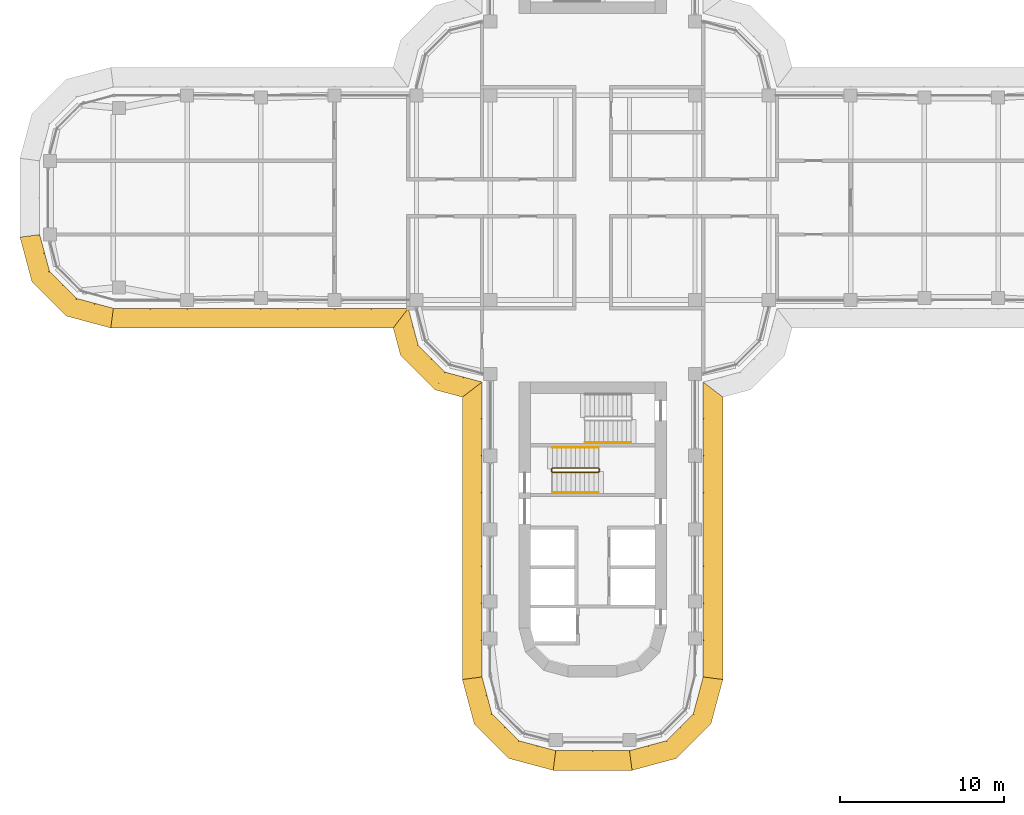
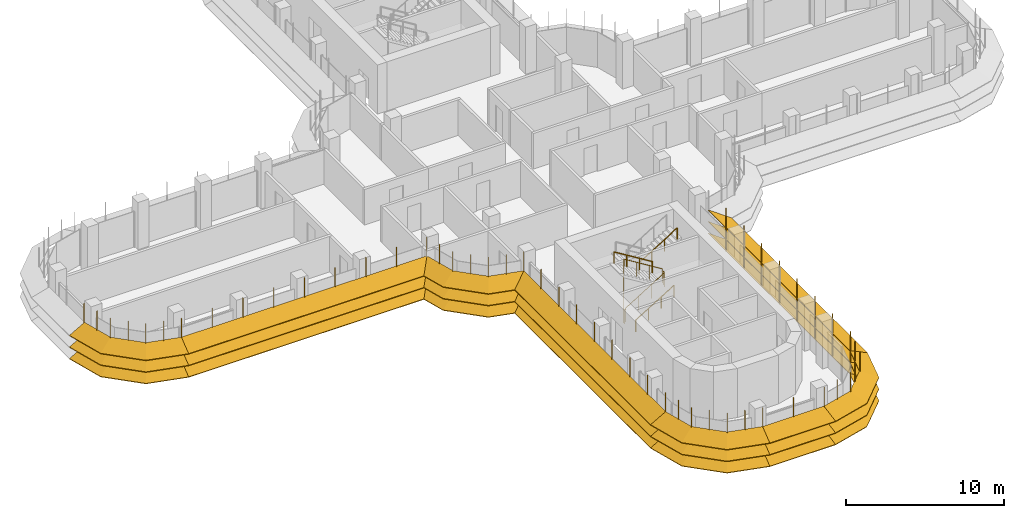
# One storey, part 17 of 20: 8 shading devices, 4 railings.
"""IFC4 building model written with IfcOpenShell, lengths in metres."""

from ifc_helpers import new_model, si_unit, direction, frame, origin, origin_2d, place, context, subcontext, project, spatial, polyline, circle, outline, extrude, faceted_brep, source, transform, mapped, material, type_object, element, save


model = new_model("IFC4")

# Units and contexts
model_context = context("Model", 3, precision=1e-05, world=origin(), true_north=direction((0.0, 1.0)))
body_context = subcontext(model_context, "Body", "Model", "MODEL_VIEW")
ifc_project = project(units=[si_unit("LENGTHUNIT", "METRE"), si_unit("AREAUNIT", "SQUARE_METRE"), si_unit("VOLUMEUNIT", "CUBIC_METRE"), si_unit("PLANEANGLEUNIT", "RADIAN"), si_unit("MASSUNIT", "GRAM", prefix="KILO")], contexts=[model_context])

# Site, building, storey
site_placement = place(None, origin())
site = spatial("IfcSite", under=ifc_project, at=site_placement, CompositionType="ELEMENT")
building_placement = place(site_placement, origin())
building = spatial("IfcBuilding", under=site, at=building_placement, Name="Zarbagh Exchange Tower", CompositionType="ELEMENT")
storey_placement = place(building_placement, frame((0.0, 0.0, 141.0)))
storey = spatial("IfcBuildingStorey", under=building, at=storey_placement, Name="L33", CompositionType="ELEMENT", Elevation=141.0)

# Railings
ifc_material_1 = material(Name="Stainless steel", Category="steel")
railing_type_1 = type_object("IfcRailingType", Name="Stair guard 1100 mm", PredefinedType="GUARDRAIL", material=ifc_material_1)
railing_1_placement = place(storey_placement, frame((0.35009765625, -16.5, 2.07275390625)))
element("IfcRailing", 1, at=railing_1_placement, inside=storey, type_object=railing_type_1, Name="ST3 stair guard 1", PredefinedType="GUARDRAIL", context=body_context, shape_type="SweptSolid", body=[
    extrude(circle(Radius=0.02392578125, at=origin_2d()), frame((0.0, 0.0, 1.076171875), z_axis=(-0.851089632645, 0.0, 0.525020415988), x_axis=(0.0, -1.0, 0.0)), (0.0, 0.0, 1.0), 3.2900390625),
    extrude(circle(Radius=0.02392578125, at=origin_2d()), frame((-2.800048828125, 0.0, 2.80322265625), z_axis=(-0.013168290981, -0.013168290981, -0.999826581076), x_axis=(0.707106781187, -0.707106781187, 0.0)), (0.0, 0.0, 1.0), 3.80078125),
    extrude(circle(Radius=0.02392578125, at=origin_2d()), frame((-2.85009765625, -0.050048828125, -0.99658203125), z_axis=(0.0, -1.0, 0.0), x_axis=(1.0, 0.0, 0.0)), (0.0, 0.0, 1.0), 0.14990234375),
    extrude(circle(Radius=0.02392578125, at=origin_2d()), frame((-2.85009765625, -0.199951171875, -0.99658203125), z_axis=(0.268277960024, -0.268277960024, 0.925231793839), x_axis=(0.707106781187, 0.707106781187, 0.0)), (0.0, 0.0, 1.0), 0.1865234375),
    extrude(circle(Radius=0.02392578125, at=origin_2d()), frame((-2.800048828125, -0.25, -0.82421875), z_axis=(0.851089632645, 0.0, 0.525020415988), x_axis=(0.0, 1.0, 0.0)), (0.0, 0.0, 1.0), 3.2900390625),
    extrude(circle(Radius=0.02392578125, at=origin_2d()), frame((0.0, -0.25, 0.9033203125), z_axis=(0.705375805398, 0.708833529934, 0.0), x_axis=(-0.708833529934, 0.705375805398, 0.0)), (0.0, 0.0, 1.0), 0.070556640625),
    extrude(circle(Radius=0.02392578125, at=origin_2d()), frame((0.0498046875, -0.199951171875, 0.9033203125), z_axis=(0.0, 1.0, 0.0), x_axis=(-1.0, 0.0, 0.0)), (0.0, 0.0, 1.0), 0.14990234375),
    extrude(circle(Radius=0.02099609375, at=origin_2d()), origin(), (0.0, 0.0, 1.0), 1.052001953125),
    extrude(circle(Radius=0.02099609375, at=origin_2d()), frame((-0.933349609375, 0.0, 0.57568359375)), (0.0, 0.0, 1.0), 1.052001953125),
    extrude(circle(Radius=0.02099609375, at=origin_2d()), frame((-1.86669921875, 0.0, 1.151611328125)), (0.0, 0.0, 1.0), 1.052001953125),
    extrude(circle(Radius=0.02099609375, at=origin_2d()), frame((-2.800048828125, 0.0, 1.727294921875)), (0.0, 0.0, 1.0), 1.052001953125),
    extrude(circle(Radius=0.02099609375, at=origin_2d()), frame((-2.8125, -0.012451171875, 0.77734375)), (0.0, 0.0, 1.0), 1.052001953125),
    extrude(circle(Radius=0.02099609375, at=origin_2d()), frame((-2.8251953125, -0.02490234375, -0.1728515625)), (0.0, 0.0, 1.0), 1.052001953125),
    extrude(circle(Radius=0.02099609375, at=origin_2d()), frame((-2.837646484375, -0.03759765625, -1.122802734375)), (0.0, 0.0, 1.0), 1.052001953125),
    extrude(circle(Radius=0.02099609375, at=origin_2d()), frame((-2.85009765625, -0.050048828125, -2.07275390625)), (0.0, 0.0, 1.0), 1.052001953125),
    extrude(circle(Radius=0.02099609375, at=origin_2d()), frame((-2.85009765625, -0.199951171875, -2.07275390625)), (0.0, 0.0, 1.0), 1.052001953125),
    extrude(circle(Radius=0.02099609375, at=origin_2d()), frame((-2.800048828125, -0.25, -1.900146484375)), (0.0, 0.0, 1.0), 1.052001953125),
    extrude(circle(Radius=0.02099609375, at=origin_2d()), frame((-1.86669921875, -0.25, -1.324462890625)), (0.0, 0.0, 1.0), 1.052001953125),
    extrude(circle(Radius=0.02099609375, at=origin_2d()), frame((-0.933349609375, -0.25, -0.74853515625)), (0.0, 0.0, 1.0), 1.052001953125),
    extrude(circle(Radius=0.02099609375, at=origin_2d()), frame((0.0, -0.25, -0.1728515625)), (0.0, 0.0, 1.0), 1.052001953125),
    extrude(circle(Radius=0.02099609375, at=origin_2d()), frame((0.0498046875, -0.199951171875, -0.1728515625)), (0.0, 0.0, 1.0), 1.052001953125),
    extrude(circle(Radius=0.02099609375, at=origin_2d()), frame((0.0498046875, -0.050048828125, -0.1728515625)), (0.0, 0.0, 1.0), 1.052001953125),
])
railing_type_2 = type_object("IfcRailingType", Name="Stair handrail 900 mm", PredefinedType="HANDRAIL", material=ifc_material_1)
railing_2_placement = place(storey_placement, frame((-2.449951171875, -18.0, 0.172607421875)))
element("IfcRailing", 2, at=railing_2_placement, inside=storey, type_object=railing_type_2, Name="ST3 stair handrail 1", PredefinedType="HANDRAIL", context=body_context, shape_type="SweptSolid", body=[
    extrude(circle(Radius=0.02392578125, at=origin_2d()), frame((0.0, 0.0, 0.8759765625), z_axis=(0.851089632645, 0.0, 0.525020415988), x_axis=(0.0, 1.0, 0.0)), (0.0, 0.0, 1.0), 3.2900390625),
    extrude(circle(Radius=0.02099609375, at=origin_2d()), origin(), (0.0, 0.0, 1.0), 0.851806640625),
    extrude(circle(Radius=0.02099609375, at=origin_2d()), frame((0.933349609375, 0.0, 0.57568359375)), (0.0, 0.0, 1.0), 0.851806640625),
    extrude(circle(Radius=0.02099609375, at=origin_2d()), frame((1.86669921875, 0.0, 1.151611328125)), (0.0, 0.0, 1.0), 0.851806640625),
    extrude(circle(Radius=0.02099609375, at=origin_2d()), frame((2.800048828125, 0.0, 1.727294921875)), (0.0, 0.0, 1.0), 0.851806640625),
])
railing_3_placement = place(storey_placement, frame((0.35009765625, -15.25, 2.07275390625)))
element("IfcRailing", 3, at=railing_3_placement, inside=storey, type_object=railing_type_2, Name="ST3 stair handrail 2", PredefinedType="HANDRAIL", context=body_context, shape_type="SweptSolid", body=[
    extrude(circle(Radius=0.02392578125, at=origin_2d()), frame((0.0, 0.0, 0.8759765625), z_axis=(-0.851089632645, 0.0, 0.525020415988), x_axis=(0.0, -1.0, 0.0)), (0.0, 0.0, 1.0), 3.2900390625),
    extrude(circle(Radius=0.02099609375, at=origin_2d()), origin(), (0.0, 0.0, 1.0), 0.851806640625),
    extrude(circle(Radius=0.02099609375, at=origin_2d()), frame((-0.933349609375, 0.0, 0.57568359375)), (0.0, 0.0, 1.0), 0.851806640625),
    extrude(circle(Radius=0.02099609375, at=origin_2d()), frame((-1.86669921875, 0.0, 1.151611328125)), (0.0, 0.0, 1.0), 0.851806640625),
    extrude(circle(Radius=0.02099609375, at=origin_2d()), frame((-2.800048828125, 0.0, 1.727294921875)), (0.0, 0.0, 1.0), 0.851806640625),
])
railing_4_placement = place(storey_placement, frame((-0.449951171875, -14.949951171875, 2.07275390625)))
element("IfcRailing", 4, at=railing_4_placement, inside=storey, type_object=railing_type_2, Name="ST4 stair handrail 2", PredefinedType="HANDRAIL", context=body_context, shape_type="SweptSolid", body=[
    extrude(circle(Radius=0.02392578125, at=origin_2d()), frame((0.0, 0.0, 0.8759765625), z_axis=(0.851089632645, 0.0, 0.525020415988), x_axis=(0.0, 1.0, 0.0)), (0.0, 0.0, 1.0), 3.2900390625),
    extrude(circle(Radius=0.02099609375, at=origin_2d()), origin(), (0.0, 0.0, 1.0), 0.851806640625),
    extrude(circle(Radius=0.02099609375, at=origin_2d()), frame((0.933349609375, 0.0, 0.57568359375)), (0.0, 0.0, 1.0), 0.851806640625),
    extrude(circle(Radius=0.02099609375, at=origin_2d()), frame((1.86669921875, 0.0, 1.151611328125)), (0.0, 0.0, 1.0), 0.851806640625),
    extrude(circle(Radius=0.02099609375, at=origin_2d()), frame((2.800048828125, 0.0, 1.727294921875)), (0.0, 0.0, 1.0), 0.851806640625),
])

# Shading devices
ifc_material_2 = material(Name="Anodised aluminium blades and brackets", Category="aluminium")
shading_device_type = type_object("IfcShadingDeviceType", Name="SUNSHADE louvre band, 22.5 degree blades", PredefinedType="JALOUSIE", material=ifc_material_2)
shared_shape_1 = source(origin(), body_context, "Body", "Brep", [
    faceted_brep([(0.0, 0.0, 0.0), (0.0, 0.0, -0.043212890625), (-0.157958984375, -1.199951171875, -0.540283203125), (-0.157958984375, -1.199951171875, -0.4970703125), (2.65087890625, -1.199951171875, -0.4970703125), (2.65087890625, -1.199951171875, -0.540283203125), (2.329345703125, 0.0, -0.043212890625), (2.329345703125, 0.0, 0.0)], [[[0, 1, 2, 3]], [[4, 5, 6, 7]], [[0, 7, 6, 1]], [[1, 6, 5, 2]], [[2, 5, 4, 3]], [[3, 4, 7, 0]]]),
])
shared_shape_2 = source(origin(), body_context, "Body", "Brep", [
    faceted_brep([(0.0, 0.0, 0.0), (0.0, 0.0, -0.043212890625), (-0.321533203125, -1.199951171875, -0.540283203125), (-0.321533203125, -1.199951171875, -0.4970703125), (2.65087890625, -1.199951171875, -0.4970703125), (2.65087890625, -1.199951171875, -0.540283203125), (2.329345703125, 0.0, -0.043212890625), (2.329345703125, 0.0, 0.0)], [[[0, 1, 2, 3]], [[4, 5, 6, 7]], [[0, 7, 6, 1]], [[1, 6, 5, 2]], [[2, 5, 4, 3]], [[3, 4, 7, 0]]]),
])
shared_shape_3 = source(origin(), body_context, "Body", "Brep", [
    faceted_brep([(0.0, 0.0, 0.0), (0.0, 0.0, -0.043212890625), (-0.321533203125, -1.199951171875, -0.540283203125), (-0.321533203125, -1.199951171875, -0.4970703125), (2.4873046875, -1.199951171875, -0.4970703125), (2.4873046875, -1.199951171875, -0.540283203125), (2.329345703125, 0.0, -0.043212890625), (2.329345703125, 0.0, 0.0)], [[[0, 1, 2, 3]], [[4, 5, 6, 7]], [[0, 7, 6, 1]], [[1, 6, 5, 2]], [[2, 5, 4, 3]], [[3, 4, 7, 0]]]),
])
shared_shape_4 = source(origin(), body_context, "Body", "SweptSolid", [
    extrude(outline(polyline([(0.0, -0.012451171875), (0.06005859375, -0.012451171875), (0.06005859375, 0.012451171875), (0.0, 0.012451171875), (0.0, -0.012451171875)])), origin(), (0.0, 0.0, 1.0), 3.353271484375),
])
placement = place(storey_placement, origin())
element("IfcShadingDevice", 5, at=placement, inside=storey, type_object=shading_device_type, Name="SS01 sunshade band", PredefinedType="JALOUSIE", context=body_context, shape_type="MappedRepresentation", body=[
    mapped(shared_shape_1, transform((2.25, -33.75, 2.300048828125), x_axis=(0.965924289636, 0.258824779902, 0.0), y_axis=(-0.258824779902, 0.965924289636, 0.0), z_axis=(0.0, 0.0, 1.0))),
    mapped(shared_shape_1, transform((2.25, -33.75, 1.39990234375), x_axis=(0.965924289636, 0.258824779902, 0.0), y_axis=(-0.258824779902, 0.965924289636, 0.0), z_axis=(0.0, 0.0, 1.0))),
    mapped(shared_shape_1, transform((2.25, -33.75, 0.5), x_axis=(0.965924289636, 0.258824779902, 0.0), y_axis=(-0.258824779902, 0.965924289636, 0.0), z_axis=(0.0, 0.0, 1.0))),
    mapped(shared_shape_2, transform((4.5, -33.147216796875, 2.300048828125), x_axis=(0.707106781187, 0.707106781187, 0.0), y_axis=(-0.707106781187, 0.707106781187, 0.0), z_axis=(0.0, 0.0, 1.0))),
    mapped(shared_shape_2, transform((4.5, -33.147216796875, 1.39990234375), x_axis=(0.707106781187, 0.707106781187, 0.0), y_axis=(-0.707106781187, 0.707106781187, 0.0), z_axis=(0.0, 0.0, 1.0))),
    mapped(shared_shape_2, transform((4.5, -33.147216796875, 0.5), x_axis=(0.707106781187, 0.707106781187, 0.0), y_axis=(-0.707106781187, 0.707106781187, 0.0), z_axis=(0.0, 0.0, 1.0))),
    mapped(shared_shape_3, transform((6.147216796875, -31.5, 2.300048828125), x_axis=(0.258824779902, 0.965924289636, 0.0), y_axis=(-0.965924289636, 0.258824779902, 0.0), z_axis=(0.0, 0.0, 1.0))),
    mapped(shared_shape_3, transform((6.147216796875, -31.5, 1.39990234375), x_axis=(0.258824779902, 0.965924289636, 0.0), y_axis=(-0.965924289636, 0.258824779902, 0.0), z_axis=(0.0, 0.0, 1.0))),
    mapped(shared_shape_3, transform((6.147216796875, -31.5, 0.5), x_axis=(0.258824779902, 0.965924289636, 0.0), y_axis=(-0.965924289636, 0.258824779902, 0.0), z_axis=(0.0, 0.0, 1.0))),
    mapped(shared_shape_4, transform((2.25, -33.75, 0.4267578125), x_axis=(0.130529263012, -0.991444457092, 0.0), y_axis=(0.991444457092, 0.130529263012, 0.0), z_axis=(0.0, 0.0, 1.0))),
    mapped(shared_shape_4, transform((3.375, -33.448486328125, 0.4267578125), x_axis=(0.258825058029, -0.96592421511, 0.0), y_axis=(0.96592421511, 0.258825058029, 0.0), z_axis=(0.0, 0.0, 1.0))),
    mapped(shared_shape_4, transform((4.5, -33.147216796875, 0.4267578125), x_axis=(0.50000275701, -0.866023812018, 0.0), y_axis=(0.866023812018, 0.50000275701, 0.0), z_axis=(0.0, 0.0, 1.0))),
    mapped(shared_shape_4, transform((5.323486328125, -32.323486328125, 0.4267578125), x_axis=(0.707106781187, -0.707106781187, 0.0), y_axis=(0.707106781187, 0.707106781187, 0.0), z_axis=(0.0, 0.0, 1.0))),
    mapped(shared_shape_4, transform((6.147216796875, -31.5, 0.4267578125), x_axis=(0.866023812018, -0.50000275701, 0.0), y_axis=(0.50000275701, 0.866023812018, 0.0), z_axis=(0.0, 0.0, 1.0))),
    mapped(shared_shape_4, transform((6.448486328125, -30.375, 0.4267578125), x_axis=(0.96592421511, -0.258825058029, 0.0), y_axis=(0.258825058029, 0.96592421511, 0.0), z_axis=(0.0, 0.0, 1.0))),
])
element("IfcShadingDevice", 6, at=placement, inside=storey, type_object=shading_device_type, Name="SS19 sunshade band", PredefinedType="JALOUSIE", context=body_context, shape_type="MappedRepresentation", body=[
    mapped(shared_shape_1, transform((-33.75, -2.25, 2.300048828125), x_axis=(0.258824779902, -0.965924289636, 0.0), y_axis=(0.965924289636, 0.258824779902, 0.0), z_axis=(0.0, 0.0, 1.0))),
    mapped(shared_shape_1, transform((-33.75, -2.25, 1.39990234375), x_axis=(0.258824779902, -0.965924289636, 0.0), y_axis=(0.965924289636, 0.258824779902, 0.0), z_axis=(0.0, 0.0, 1.0))),
    mapped(shared_shape_1, transform((-33.75, -2.25, 0.5), x_axis=(0.258824779902, -0.965924289636, 0.0), y_axis=(0.965924289636, 0.258824779902, 0.0), z_axis=(0.0, 0.0, 1.0))),
    mapped(shared_shape_2, transform((-33.147216796875, -4.5, 2.300048828125), x_axis=(0.707106781187, -0.707106781187, 0.0), y_axis=(0.707106781187, 0.707106781187, 0.0), z_axis=(0.0, 0.0, 1.0))),
    mapped(shared_shape_2, transform((-33.147216796875, -4.5, 1.39990234375), x_axis=(0.707106781187, -0.707106781187, 0.0), y_axis=(0.707106781187, 0.707106781187, 0.0), z_axis=(0.0, 0.0, 1.0))),
    mapped(shared_shape_2, transform((-33.147216796875, -4.5, 0.5), x_axis=(0.707106781187, -0.707106781187, 0.0), y_axis=(0.707106781187, 0.707106781187, 0.0), z_axis=(0.0, 0.0, 1.0))),
    mapped(shared_shape_3, transform((-31.5, -6.147216796875, 2.300048828125), x_axis=(0.965924289636, -0.258824779902, 0.0), y_axis=(0.258824779902, 0.965924289636, 0.0), z_axis=(0.0, 0.0, 1.0))),
    mapped(shared_shape_3, transform((-31.5, -6.147216796875, 1.39990234375), x_axis=(0.965924289636, -0.258824779902, 0.0), y_axis=(0.258824779902, 0.965924289636, 0.0), z_axis=(0.0, 0.0, 1.0))),
    mapped(shared_shape_3, transform((-31.5, -6.147216796875, 0.5), x_axis=(0.965924289636, -0.258824779902, 0.0), y_axis=(0.258824779902, 0.965924289636, 0.0), z_axis=(0.0, 0.0, 1.0))),
    mapped(shared_shape_4, transform((-33.75, -2.25, 0.4267578125), x_axis=(-0.991444457092, -0.130529263012, 0.0), y_axis=(0.130529263012, -0.991444457092, 0.0), z_axis=(0.0, 0.0, 1.0))),
    mapped(shared_shape_4, transform((-33.448486328125, -3.375, 0.4267578125), x_axis=(-0.96592421511, -0.258825058029, 0.0), y_axis=(0.258825058029, -0.96592421511, 0.0), z_axis=(0.0, 0.0, 1.0))),
    mapped(shared_shape_4, transform((-33.147216796875, -4.5, 0.4267578125), x_axis=(-0.866023812018, -0.50000275701, 0.0), y_axis=(0.50000275701, -0.866023812018, 0.0), z_axis=(0.0, 0.0, 1.0))),
    mapped(shared_shape_4, transform((-32.323486328125, -5.323486328125, 0.4267578125), x_axis=(-0.707106781187, -0.707106781187, 0.0), y_axis=(0.707106781187, -0.707106781187, 0.0), z_axis=(0.0, 0.0, 1.0))),
    mapped(shared_shape_4, transform((-31.5, -6.147216796875, 0.4267578125), x_axis=(-0.50000275701, -0.866023812018, 0.0), y_axis=(0.866023812018, -0.50000275701, 0.0), z_axis=(0.0, 0.0, 1.0))),
    mapped(shared_shape_4, transform((-30.375, -6.448486328125, 0.4267578125), x_axis=(-0.258825058029, -0.96592421511, 0.0), y_axis=(0.96592421511, -0.258825058029, 0.0), z_axis=(0.0, 0.0, 1.0))),
])
element("IfcShadingDevice", 7, at=placement, inside=storey, type_object=shading_device_type, Name="SS23 sunshade band", PredefinedType="JALOUSIE", context=body_context, shape_type="MappedRepresentation", body=[
    mapped(shared_shape_1, transform((-6.75, -29.25, 2.300048828125), x_axis=(0.258824779902, -0.965924289636, 0.0), y_axis=(0.965924289636, 0.258824779902, 0.0), z_axis=(0.0, 0.0, 1.0))),
    mapped(shared_shape_1, transform((-6.75, -29.25, 1.39990234375), x_axis=(0.258824779902, -0.965924289636, 0.0), y_axis=(0.965924289636, 0.258824779902, 0.0), z_axis=(0.0, 0.0, 1.0))),
    mapped(shared_shape_1, transform((-6.75, -29.25, 0.5), x_axis=(0.258824779902, -0.965924289636, 0.0), y_axis=(0.965924289636, 0.258824779902, 0.0), z_axis=(0.0, 0.0, 1.0))),
    mapped(shared_shape_2, transform((-6.147216796875, -31.5, 2.300048828125), x_axis=(0.707106781187, -0.707106781187, 0.0), y_axis=(0.707106781187, 0.707106781187, 0.0), z_axis=(0.0, 0.0, 1.0))),
    mapped(shared_shape_2, transform((-6.147216796875, -31.5, 1.39990234375), x_axis=(0.707106781187, -0.707106781187, 0.0), y_axis=(0.707106781187, 0.707106781187, 0.0), z_axis=(0.0, 0.0, 1.0))),
    mapped(shared_shape_2, transform((-6.147216796875, -31.5, 0.5), x_axis=(0.707106781187, -0.707106781187, 0.0), y_axis=(0.707106781187, 0.707106781187, 0.0), z_axis=(0.0, 0.0, 1.0))),
    mapped(shared_shape_3, transform((-4.5, -33.147216796875, 2.300048828125), x_axis=(0.965924289636, -0.258824779902, 0.0), y_axis=(0.258824779902, 0.965924289636, 0.0), z_axis=(0.0, 0.0, 1.0))),
    mapped(shared_shape_3, transform((-4.5, -33.147216796875, 1.39990234375), x_axis=(0.965924289636, -0.258824779902, 0.0), y_axis=(0.258824779902, 0.965924289636, 0.0), z_axis=(0.0, 0.0, 1.0))),
    mapped(shared_shape_3, transform((-4.5, -33.147216796875, 0.5), x_axis=(0.965924289636, -0.258824779902, 0.0), y_axis=(0.258824779902, 0.965924289636, 0.0), z_axis=(0.0, 0.0, 1.0))),
    mapped(shared_shape_4, transform((-6.75, -29.25, 0.4267578125), x_axis=(-0.991444457092, -0.130529263012, 0.0), y_axis=(0.130529263012, -0.991444457092, 0.0), z_axis=(0.0, 0.0, 1.0))),
    mapped(shared_shape_4, transform((-6.448486328125, -30.375, 0.4267578125), x_axis=(-0.96592421511, -0.258825058029, 0.0), y_axis=(0.258825058029, -0.96592421511, 0.0), z_axis=(0.0, 0.0, 1.0))),
    mapped(shared_shape_4, transform((-6.147216796875, -31.5, 0.4267578125), x_axis=(-0.866023812018, -0.50000275701, 0.0), y_axis=(0.50000275701, -0.866023812018, 0.0), z_axis=(0.0, 0.0, 1.0))),
    mapped(shared_shape_4, transform((-5.323486328125, -32.323486328125, 0.4267578125), x_axis=(-0.707106781187, -0.707106781187, 0.0), y_axis=(0.707106781187, -0.707106781187, 0.0), z_axis=(0.0, 0.0, 1.0))),
    mapped(shared_shape_4, transform((-4.5, -33.147216796875, 0.4267578125), x_axis=(-0.50000275701, -0.866023812018, 0.0), y_axis=(0.866023812018, -0.50000275701, 0.0), z_axis=(0.0, 0.0, 1.0))),
    mapped(shared_shape_4, transform((-3.375, -33.448486328125, 0.4267578125), x_axis=(-0.258825058029, -0.96592421511, 0.0), y_axis=(0.96592421511, -0.258825058029, 0.0), z_axis=(0.0, 0.0, 1.0))),
])
shared_shape_5 = source(origin(), body_context, "Body", "Brep", [
    faceted_brep([(0.0, 0.0, 0.0), (0.0, 0.0, -0.043212890625), (0.9208984375, -1.199951171875, -0.540283203125), (0.9208984375, -1.199951171875, -0.4970703125), (2.65087890625, -1.199951171875, -0.4970703125), (2.65087890625, -1.199951171875, -0.540283203125), (2.329345703125, 0.0, -0.043212890625), (2.329345703125, 0.0, 0.0)], [[[0, 1, 2, 3]], [[4, 5, 6, 7]], [[0, 7, 6, 1]], [[1, 6, 5, 2]], [[2, 5, 4, 3]], [[3, 4, 7, 0]]]),
])
shared_shape_6 = source(origin(), body_context, "Body", "Brep", [
    faceted_brep([(0.0, 0.0, 0.0), (0.0, 0.0, -0.043212890625), (-0.321533203125, -1.199951171875, -0.540283203125), (-0.321533203125, -1.199951171875, -0.4970703125), (1.40869140625, -1.199951171875, -0.4970703125), (1.40869140625, -1.199951171875, -0.540283203125), (2.329345703125, 0.0, -0.043212890625), (2.329345703125, 0.0, 0.0)], [[[0, 1, 2, 3]], [[4, 5, 6, 7]], [[0, 7, 6, 1]], [[1, 6, 5, 2]], [[2, 5, 4, 3]], [[3, 4, 7, 0]]]),
])
element("IfcShadingDevice", 8, at=placement, inside=storey, type_object=shading_device_type, Name="SS21 sunshade band", PredefinedType="JALOUSIE", context=body_context, shape_type="MappedRepresentation", body=[
    mapped(shared_shape_5, transform((-11.25, -6.75, 2.300048828125), x_axis=(0.258824779902, -0.965924289636, 0.0), y_axis=(0.965924289636, 0.258824779902, 0.0), z_axis=(0.0, 0.0, 1.0))),
    mapped(shared_shape_5, transform((-11.25, -6.75, 1.39990234375), x_axis=(0.258824779902, -0.965924289636, 0.0), y_axis=(0.965924289636, 0.258824779902, 0.0), z_axis=(0.0, 0.0, 1.0))),
    mapped(shared_shape_5, transform((-11.25, -6.75, 0.5), x_axis=(0.258824779902, -0.965924289636, 0.0), y_axis=(0.965924289636, 0.258824779902, 0.0), z_axis=(0.0, 0.0, 1.0))),
    mapped(shared_shape_2, transform((-10.647216796875, -9.0, 2.300048828125), x_axis=(0.707106781187, -0.707106781187, 0.0), y_axis=(0.707106781187, 0.707106781187, 0.0), z_axis=(0.0, 0.0, 1.0))),
    mapped(shared_shape_2, transform((-10.647216796875, -9.0, 1.39990234375), x_axis=(0.707106781187, -0.707106781187, 0.0), y_axis=(0.707106781187, 0.707106781187, 0.0), z_axis=(0.0, 0.0, 1.0))),
    mapped(shared_shape_2, transform((-10.647216796875, -9.0, 0.5), x_axis=(0.707106781187, -0.707106781187, 0.0), y_axis=(0.707106781187, 0.707106781187, 0.0), z_axis=(0.0, 0.0, 1.0))),
    mapped(shared_shape_6, transform((-9.0, -10.647216796875, 2.300048828125), x_axis=(0.965924289636, -0.258824779902, 0.0), y_axis=(0.258824779902, 0.965924289636, 0.0), z_axis=(0.0, 0.0, 1.0))),
    mapped(shared_shape_6, transform((-9.0, -10.647216796875, 1.39990234375), x_axis=(0.965924289636, -0.258824779902, 0.0), y_axis=(0.258824779902, 0.965924289636, 0.0), z_axis=(0.0, 0.0, 1.0))),
    mapped(shared_shape_6, transform((-9.0, -10.647216796875, 0.5), x_axis=(0.965924289636, -0.258824779902, 0.0), y_axis=(0.258824779902, 0.965924289636, 0.0), z_axis=(0.0, 0.0, 1.0))),
    mapped(shared_shape_4, transform((-11.25, -6.75, 0.4267578125), x_axis=(-0.608758892, -0.793355287, 0.0), y_axis=(0.793355287, -0.608758892, 0.0), z_axis=(0.0, 0.0, 1.0))),
    mapped(shared_shape_4, transform((-10.948486328125, -7.875, 0.4267578125), x_axis=(-0.96592421511, -0.258825058029, 0.0), y_axis=(0.258825058029, -0.96592421511, 0.0), z_axis=(0.0, 0.0, 1.0))),
    mapped(shared_shape_4, transform((-10.647216796875, -9.0, 0.4267578125), x_axis=(-0.866023812018, -0.50000275701, 0.0), y_axis=(0.50000275701, -0.866023812018, 0.0), z_axis=(0.0, 0.0, 1.0))),
    mapped(shared_shape_4, transform((-9.823486328125, -9.823486328125, 0.4267578125), x_axis=(-0.707106781187, -0.707106781187, 0.0), y_axis=(0.707106781187, -0.707106781187, 0.0), z_axis=(0.0, 0.0, 1.0))),
    mapped(shared_shape_4, transform((-9.0, -10.647216796875, 0.4267578125), x_axis=(-0.50000275701, -0.866023812018, 0.0), y_axis=(0.866023812018, -0.50000275701, 0.0), z_axis=(0.0, 0.0, 1.0))),
    mapped(shared_shape_4, transform((-7.875, -10.948486328125, 0.4267578125), x_axis=(-0.258825058029, -0.96592421511, 0.0), y_axis=(0.96592421511, -0.258825058029, 0.0), z_axis=(0.0, 0.0, 1.0))),
])
shared_shape_7 = source(origin(), body_context, "Body", "Brep", [
    faceted_brep([(0.0, 0.0, 0.0), (0.0, 0.0, -0.043212890625), (-0.157958984375, -1.199951171875, -0.540283203125), (-0.157958984375, -1.199951171875, -0.4970703125), (17.0791015625, -1.199951171875, -0.4970703125), (17.0791015625, -1.199951171875, -0.540283203125), (18.0, 0.0, -0.043212890625), (18.0, 0.0, 0.0)], [[[0, 1, 2, 3]], [[4, 5, 6, 7]], [[0, 7, 6, 1]], [[1, 6, 5, 2]], [[2, 5, 4, 3]], [[3, 4, 7, 0]]]),
])
element("IfcShadingDevice", 9, at=placement, inside=storey, type_object=shading_device_type, Name="SS02 sunshade band", PredefinedType="JALOUSIE", context=body_context, shape_type="MappedRepresentation", body=[
    mapped(shared_shape_7, transform((6.75, -29.25, 2.300048828125), x_axis=(0.0, 1.0, 0.0), y_axis=(-1.0, 0.0, 0.0), z_axis=(0.0, 0.0, 1.0))),
    mapped(shared_shape_7, transform((6.75, -29.25, 1.39990234375), x_axis=(0.0, 1.0, 0.0), y_axis=(-1.0, 0.0, 0.0), z_axis=(0.0, 0.0, 1.0))),
    mapped(shared_shape_7, transform((6.75, -29.25, 0.5), x_axis=(0.0, 1.0, 0.0), y_axis=(-1.0, 0.0, 0.0), z_axis=(0.0, 0.0, 1.0))),
    mapped(shared_shape_4, transform((6.75, -29.25, 0.4267578125), x_axis=(0.991444457092, -0.130529263012, 0.0), y_axis=(0.130529263012, 0.991444457092, 0.0), z_axis=(0.0, 0.0, 1.0))),
    mapped(shared_shape_4, transform((6.75, -27.0, 0.4267578125), x_axis=(1.0, 0.0, 0.0), y_axis=(0.0, 1.0, 0.0), z_axis=(0.0, 0.0, 1.0))),
    mapped(shared_shape_4, transform((6.75, -24.75, 0.4267578125), x_axis=(1.0, 0.0, 0.0), y_axis=(0.0, 1.0, 0.0), z_axis=(0.0, 0.0, 1.0))),
    mapped(shared_shape_4, transform((6.75, -22.5, 0.4267578125), x_axis=(1.0, 0.0, 0.0), y_axis=(0.0, 1.0, 0.0), z_axis=(0.0, 0.0, 1.0))),
    mapped(shared_shape_4, transform((6.75, -20.25, 0.4267578125), x_axis=(1.0, 0.0, 0.0), y_axis=(0.0, 1.0, 0.0), z_axis=(0.0, 0.0, 1.0))),
    mapped(shared_shape_4, transform((6.75, -18.0, 0.4267578125), x_axis=(1.0, 0.0, 0.0), y_axis=(0.0, 1.0, 0.0), z_axis=(0.0, 0.0, 1.0))),
    mapped(shared_shape_4, transform((6.75, -15.75, 0.4267578125), x_axis=(1.0, 0.0, 0.0), y_axis=(0.0, 1.0, 0.0), z_axis=(0.0, 0.0, 1.0))),
    mapped(shared_shape_4, transform((6.75, -13.5, 0.4267578125), x_axis=(1.0, 0.0, 0.0), y_axis=(0.0, 1.0, 0.0), z_axis=(0.0, 0.0, 1.0))),
])
element("IfcShadingDevice", 10, at=placement, inside=storey, type_object=shading_device_type, Name="SS20 sunshade band", PredefinedType="JALOUSIE", context=body_context, shape_type="MappedRepresentation", body=[
    mapped(shared_shape_7, transform((-29.25, -6.75, 2.300048828125), x_axis=(1.0, 0.0, 0.0), y_axis=(0.0, 1.0, 0.0), z_axis=(0.0, 0.0, 1.0))),
    mapped(shared_shape_7, transform((-29.25, -6.75, 1.39990234375), x_axis=(1.0, 0.0, 0.0), y_axis=(0.0, 1.0, 0.0), z_axis=(0.0, 0.0, 1.0))),
    mapped(shared_shape_7, transform((-29.25, -6.75, 0.5), x_axis=(1.0, 0.0, 0.0), y_axis=(0.0, 1.0, 0.0), z_axis=(0.0, 0.0, 1.0))),
    mapped(shared_shape_4, transform((-29.25, -6.75, 0.4267578125), x_axis=(-0.130529263012, -0.991444457092, 0.0), y_axis=(0.991444457092, -0.130529263012, 0.0), z_axis=(0.0, 0.0, 1.0))),
    mapped(shared_shape_4, transform((-27.0, -6.75, 0.4267578125), x_axis=(0.0, -1.0, 0.0), y_axis=(1.0, 0.0, 0.0), z_axis=(0.0, 0.0, 1.0))),
    mapped(shared_shape_4, transform((-24.75, -6.75, 0.4267578125), x_axis=(0.0, -1.0, 0.0), y_axis=(1.0, 0.0, 0.0), z_axis=(0.0, 0.0, 1.0))),
    mapped(shared_shape_4, transform((-22.5, -6.75, 0.4267578125), x_axis=(0.0, -1.0, 0.0), y_axis=(1.0, 0.0, 0.0), z_axis=(0.0, 0.0, 1.0))),
    mapped(shared_shape_4, transform((-20.25, -6.75, 0.4267578125), x_axis=(0.0, -1.0, 0.0), y_axis=(1.0, 0.0, 0.0), z_axis=(0.0, 0.0, 1.0))),
    mapped(shared_shape_4, transform((-18.0, -6.75, 0.4267578125), x_axis=(0.0, -1.0, 0.0), y_axis=(1.0, 0.0, 0.0), z_axis=(0.0, 0.0, 1.0))),
    mapped(shared_shape_4, transform((-15.75, -6.75, 0.4267578125), x_axis=(0.0, -1.0, 0.0), y_axis=(1.0, 0.0, 0.0), z_axis=(0.0, 0.0, 1.0))),
    mapped(shared_shape_4, transform((-13.5, -6.75, 0.4267578125), x_axis=(0.0, -1.0, 0.0), y_axis=(1.0, 0.0, 0.0), z_axis=(0.0, 0.0, 1.0))),
])
shared_shape_8 = source(origin(), body_context, "Body", "Brep", [
    faceted_brep([(0.0, 0.0, 0.0), (0.0, 0.0, -0.043212890625), (0.9208984375, -1.199951171875, -0.540283203125), (0.9208984375, -1.199951171875, -0.4970703125), (18.157958984375, -1.199951171875, -0.4970703125), (18.157958984375, -1.199951171875, -0.540283203125), (18.0, 0.0, -0.043212890625), (18.0, 0.0, 0.0)], [[[0, 1, 2, 3]], [[4, 5, 6, 7]], [[0, 7, 6, 1]], [[1, 6, 5, 2]], [[2, 5, 4, 3]], [[3, 4, 7, 0]]]),
])
element("IfcShadingDevice", 11, at=placement, inside=storey, type_object=shading_device_type, Name="SS22 sunshade band", PredefinedType="JALOUSIE", context=body_context, shape_type="MappedRepresentation", body=[
    mapped(shared_shape_8, transform((-6.75, -11.25, 2.300048828125), x_axis=(0.0, -1.0, 0.0), y_axis=(1.0, 0.0, 0.0), z_axis=(0.0, 0.0, 1.0))),
    mapped(shared_shape_8, transform((-6.75, -11.25, 1.39990234375), x_axis=(0.0, -1.0, 0.0), y_axis=(1.0, 0.0, 0.0), z_axis=(0.0, 0.0, 1.0))),
    mapped(shared_shape_8, transform((-6.75, -11.25, 0.5), x_axis=(0.0, -1.0, 0.0), y_axis=(1.0, 0.0, 0.0), z_axis=(0.0, 0.0, 1.0))),
    mapped(shared_shape_4, transform((-6.75, -11.25, 0.4267578125), x_axis=(-0.793355287, -0.608758892, 0.0), y_axis=(0.608758892, -0.793355287, 0.0), z_axis=(0.0, 0.0, 1.0))),
    mapped(shared_shape_4, transform((-6.75, -13.5, 0.4267578125), x_axis=(-1.0, 0.0, 0.0), y_axis=(0.0, -1.0, 0.0), z_axis=(0.0, 0.0, 1.0))),
    mapped(shared_shape_4, transform((-6.75, -15.75, 0.4267578125), x_axis=(-1.0, 0.0, 0.0), y_axis=(0.0, -1.0, 0.0), z_axis=(0.0, 0.0, 1.0))),
    mapped(shared_shape_4, transform((-6.75, -18.0, 0.4267578125), x_axis=(-1.0, 0.0, 0.0), y_axis=(0.0, -1.0, 0.0), z_axis=(0.0, 0.0, 1.0))),
    mapped(shared_shape_4, transform((-6.75, -20.25, 0.4267578125), x_axis=(-1.0, 0.0, 0.0), y_axis=(0.0, -1.0, 0.0), z_axis=(0.0, 0.0, 1.0))),
    mapped(shared_shape_4, transform((-6.75, -22.5, 0.4267578125), x_axis=(-1.0, 0.0, 0.0), y_axis=(0.0, -1.0, 0.0), z_axis=(0.0, 0.0, 1.0))),
    mapped(shared_shape_4, transform((-6.75, -24.75, 0.4267578125), x_axis=(-1.0, 0.0, 0.0), y_axis=(0.0, -1.0, 0.0), z_axis=(0.0, 0.0, 1.0))),
    mapped(shared_shape_4, transform((-6.75, -27.0, 0.4267578125), x_axis=(-1.0, 0.0, 0.0), y_axis=(0.0, -1.0, 0.0), z_axis=(0.0, 0.0, 1.0))),
])
shared_shape_9 = source(origin(), body_context, "Body", "Brep", [
    faceted_brep([(0.0, 0.0, 0.0), (0.0, 0.0, -0.043212890625), (-0.157958984375, -1.199951171875, -0.540283203125), (-0.157958984375, -1.199951171875, -0.4970703125), (4.657958984375, -1.199951171875, -0.4970703125), (4.657958984375, -1.199951171875, -0.540283203125), (4.5, 0.0, -0.043212890625), (4.5, 0.0, 0.0)], [[[0, 1, 2, 3]], [[4, 5, 6, 7]], [[0, 7, 6, 1]], [[1, 6, 5, 2]], [[2, 5, 4, 3]], [[3, 4, 7, 0]]]),
])
element("IfcShadingDevice", 12, at=placement, inside=storey, type_object=shading_device_type, Name="SS24 sunshade band", PredefinedType="JALOUSIE", context=body_context, shape_type="MappedRepresentation", body=[
    mapped(shared_shape_9, transform((-2.25, -33.75, 2.300048828125), x_axis=(1.0, 0.0, 0.0), y_axis=(0.0, 1.0, 0.0), z_axis=(0.0, 0.0, 1.0))),
    mapped(shared_shape_9, transform((-2.25, -33.75, 1.39990234375), x_axis=(1.0, 0.0, 0.0), y_axis=(0.0, 1.0, 0.0), z_axis=(0.0, 0.0, 1.0))),
    mapped(shared_shape_9, transform((-2.25, -33.75, 0.5), x_axis=(1.0, 0.0, 0.0), y_axis=(0.0, 1.0, 0.0), z_axis=(0.0, 0.0, 1.0))),
    mapped(shared_shape_4, transform((-2.25, -33.75, 0.4267578125), x_axis=(-0.130529263012, -0.991444457092, 0.0), y_axis=(0.991444457092, -0.130529263012, 0.0), z_axis=(0.0, 0.0, 1.0))),
    mapped(shared_shape_4, transform((0.0, -33.75, 0.4267578125), x_axis=(0.0, -1.0, 0.0), y_axis=(1.0, 0.0, 0.0), z_axis=(0.0, 0.0, 1.0))),
])

save(model, "model.ifc")
